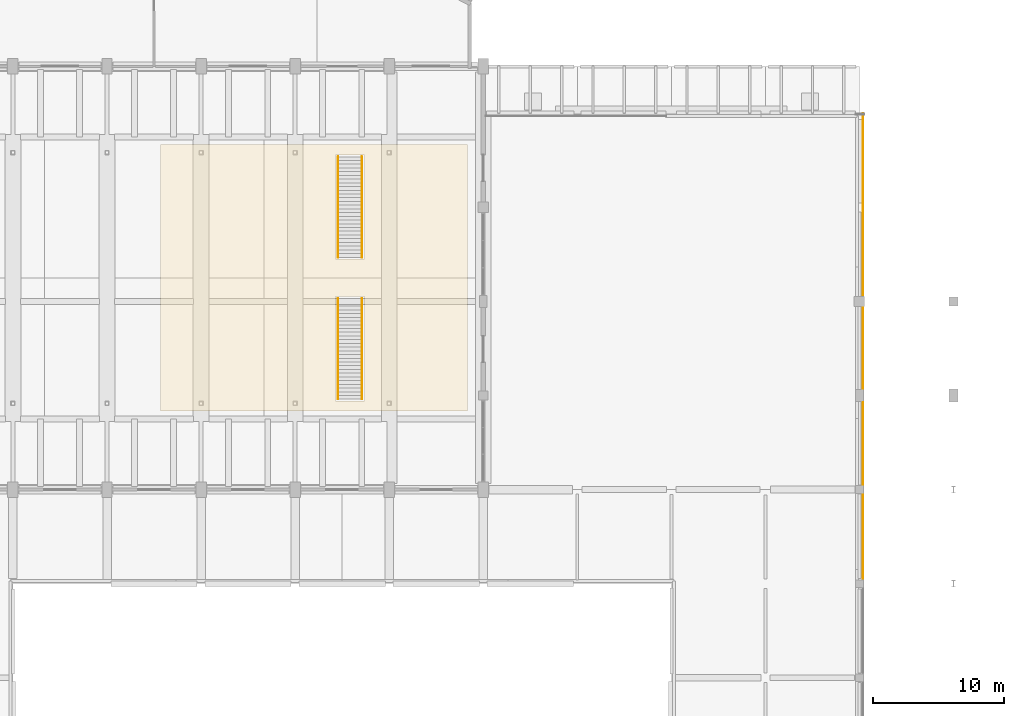
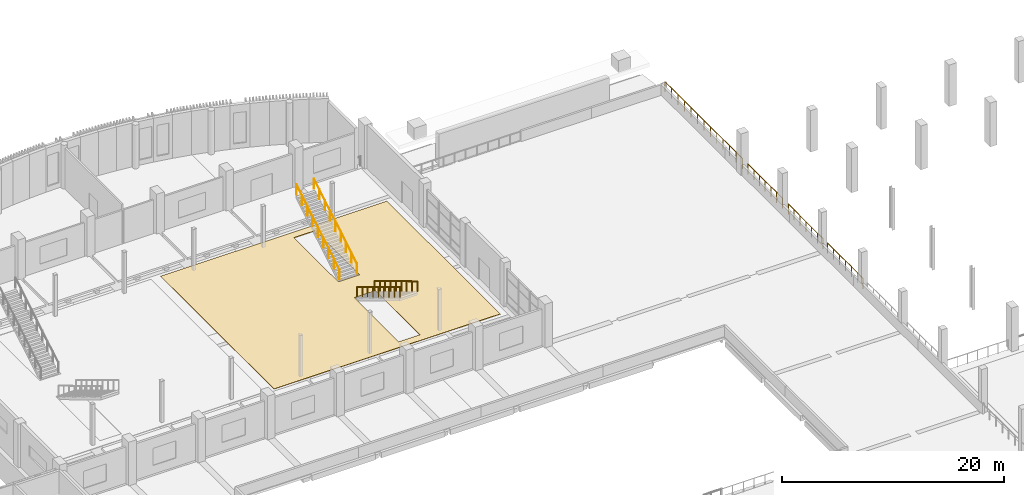
# One storey, part 76 of 82: 8 railings, 1 covering.
"""IFC4 building model written with IfcOpenShell, lengths in metres."""

from ifc_helpers import new_model, si_unit, direction, frame, origin, origin_2d, place, context, subcontext, project, spatial, polyline, circle, outline, extrude, material, layer, layer_set, type_object, element, save


model = new_model("IFC4")

# Units and contexts
model_context = context("Model", 3, precision=1e-05, world=origin(), true_north=direction((0.0, 1.0)))
body_context = subcontext(model_context, "Body", "Model", "MODEL_VIEW")
ifc_project = project(units=[si_unit("LENGTHUNIT", "METRE"), si_unit("AREAUNIT", "SQUARE_METRE"), si_unit("VOLUMEUNIT", "CUBIC_METRE"), si_unit("PLANEANGLEUNIT", "RADIAN"), si_unit("MASSUNIT", "GRAM", prefix="KILO")], contexts=[model_context])

# Site, building, storey
site_placement = place(None, origin())
site = spatial("IfcSite", under=ifc_project, at=site_placement, CompositionType="ELEMENT")
building_placement = place(site_placement, origin())
building = spatial("IfcBuilding", under=site, at=building_placement, Name="Sardonyx Promenade Sports Hall", CompositionType="ELEMENT")
storey_placement = place(building_placement, frame((0.0, 0.0, 11.199951171875)))
storey = spatial("IfcBuildingStorey", under=building, at=storey_placement, Name="L02", CompositionType="ELEMENT", Elevation=11.199951171875)

# Covering
ifc_material_1 = material(Name="FIBA Grade 1 sprung maple hardwood court flooring", Category="wood")
ifc_layer = layer(ifc_material_1, 0.044921875)
ifc_layer_set = layer_set([ifc_layer], Name="Cov_Floor_Maple")
covering_type = type_object("IfcCoveringType", Name="Cov_Floor_Maple", PredefinedType="FLOORING", material=ifc_layer_set)
covering_placement = place(storey_placement, origin())
element("IfcCovering", 1, at=covering_placement, inside=storey, type_object=covering_type, Name="Athletic flooring FLR1 L02 #6", PredefinedType="FLOORING", context=body_context, shape_type="SweptSolid", body=[
    extrude(outline(polyline([(54.5, 98.39990234375), (54.5, 78.0), (78.0, 78.0), (78.0, 98.39990234375), (54.5, 98.39990234375)]), holes=[polyline([(70.10009765625, 86.764892578125), (70.10009765625, 78.77001953125), (67.89990234375, 78.77001953125), (67.89990234375, 86.764892578125), (70.10009765625, 86.764892578125)]), polyline([(70.10009765625, 97.6298828125), (70.10009765625, 89.635009765625), (67.89990234375, 89.635009765625), (67.89990234375, 97.6298828125), (70.10009765625, 97.6298828125)])]), origin(), (0.0, 0.0, 1.0), 0.045166015625),
])

# Railings
ifc_material_2 = material(Name="Powder-coated Steel S355JR", Category="steel")
railing_type = type_object("IfcRailingType", Name="Rail_Int_Guard_1100", PredefinedType="GUARDRAIL", material=ifc_material_2)
for number, where, name in (
    (2, (68.090087890625, 86.614990234375, 0.17138671875), "Feature stair guard STV2 L"),
    (3, (69.909912109375, 86.614990234375, 0.17138671875), "Feature stair guard STV2 R"),
):
    element("IfcRailing", number, at=place(storey_placement, frame(where)), inside=storey, type_object=railing_type, Name=name, PredefinedType="GUARDRAIL", context=body_context, shape_type="SweptSolid", body=[
        extrude(circle(Radius=0.02392578125, at=origin_2d()), frame((0.0, 0.0, 1.09619140625), z_axis=(0.0, -0.856921461139, 0.515446999642), x_axis=(1.0, 0.0, 0.0)), (0.0, 0.0, 1.0), 8.97998046875),
        extrude(circle(Radius=0.02099609375, at=origin_2d()), origin(), (0.0, 0.0, 1.0), 1.072021484375),
        extrude(circle(Radius=0.02099609375, at=origin_2d()), frame((0.0, -0.9619140625, 0.57861328125)), (0.0, 0.0, 1.0), 1.072021484375),
        extrude(circle(Radius=0.02099609375, at=origin_2d()), frame((0.0, -1.923828125, 1.1572265625)), (0.0, 0.0, 1.0), 1.072021484375),
        extrude(circle(Radius=0.02099609375, at=origin_2d()), frame((0.0, -2.8857421875, 1.73583984375)), (0.0, 0.0, 1.0), 1.072021484375),
        extrude(circle(Radius=0.02099609375, at=origin_2d()), frame((0.0, -3.84765625, 2.314453125)), (0.0, 0.0, 1.0), 1.072021484375),
        extrude(circle(Radius=0.02099609375, at=origin_2d()), frame((0.0, -4.809326171875, 2.892822265625)), (0.0, 0.0, 1.0), 1.072021484375),
        extrude(circle(Radius=0.02099609375, at=origin_2d()), frame((0.0, -5.771240234375, 3.471435546875)), (0.0, 0.0, 1.0), 1.072021484375),
        extrude(circle(Radius=0.02099609375, at=origin_2d()), frame((0.0, -6.733154296875, 4.050048828125)), (0.0, 0.0, 1.0), 1.072021484375),
        extrude(circle(Radius=0.02099609375, at=origin_2d()), frame((0.0, -7.695068359375, 4.628662109375)), (0.0, 0.0, 1.0), 1.072021484375),
    ])
for number, where, name in (
    (4, (69.909912109375, 89.784912109375, 0.17138671875), "Feature stair guard STV4 L"),
    (5, (68.090087890625, 89.784912109375, 0.17138671875), "Feature stair guard STV4 R"),
):
    element("IfcRailing", number, at=place(storey_placement, frame(where)), inside=storey, type_object=railing_type, Name=name, PredefinedType="GUARDRAIL", context=body_context, shape_type="SweptSolid", body=[
        extrude(circle(Radius=0.02392578125, at=origin_2d()), frame((0.0, 0.0, 1.09619140625), z_axis=(0.0, 0.856921461139, 0.515446999642), x_axis=(-1.0, 0.0, 0.0)), (0.0, 0.0, 1.0), 8.97998046875),
        extrude(circle(Radius=0.02099609375, at=origin_2d()), origin(), (0.0, 0.0, 1.0), 1.072021484375),
        extrude(circle(Radius=0.02099609375, at=origin_2d()), frame((0.0, 0.9619140625, 0.57861328125)), (0.0, 0.0, 1.0), 1.072021484375),
        extrude(circle(Radius=0.02099609375, at=origin_2d()), frame((0.0, 1.923828125, 1.1572265625)), (0.0, 0.0, 1.0), 1.072021484375),
        extrude(circle(Radius=0.02099609375, at=origin_2d()), frame((0.0, 2.8857421875, 1.73583984375)), (0.0, 0.0, 1.0), 1.072021484375),
        extrude(circle(Radius=0.02099609375, at=origin_2d()), frame((0.0, 3.84765625, 2.314453125)), (0.0, 0.0, 1.0), 1.072021484375),
        extrude(circle(Radius=0.02099609375, at=origin_2d()), frame((0.0, 4.809326171875, 2.892822265625)), (0.0, 0.0, 1.0), 1.072021484375),
        extrude(circle(Radius=0.02099609375, at=origin_2d()), frame((0.0, 5.771240234375, 3.471435546875)), (0.0, 0.0, 1.0), 1.072021484375),
        extrude(circle(Radius=0.02099609375, at=origin_2d()), frame((0.0, 6.733154296875, 4.050048828125)), (0.0, 0.0, 1.0), 1.072021484375),
        extrude(circle(Radius=0.02099609375, at=origin_2d()), frame((0.0, 7.695068359375, 4.628662109375)), (0.0, 0.0, 1.0), 1.072021484375),
    ])
railing_1_placement = place(storey_placement, frame((108.280029296875, 65.199951171875, 0.0)))
element("IfcRailing", 6, at=railing_1_placement, inside=storey, type_object=railing_type, Name="Deck-edge guardrail GR02 L02 #43", PredefinedType="GUARDRAIL", context=body_context, shape_type="SweptSolid", body=[
    extrude(circle(Radius=0.02392578125, at=origin_2d()), frame((0.0, 0.0, 1.09619140625), z_axis=(0.0, 1.0, 0.0), x_axis=(-1.0, 0.0, 0.0)), (0.0, 0.0, 1.0), 6.400146484375),
    extrude(circle(Radius=0.02099609375, at=origin_2d()), origin(), (0.0, 0.0, 1.0), 1.072021484375),
    extrude(circle(Radius=0.02099609375, at=origin_2d()), frame((0.0, 1.066650390625, 0.0)), (0.0, 0.0, 1.0), 1.072021484375),
    extrude(circle(Radius=0.02099609375, at=origin_2d()), frame((0.0, 2.13330078125, 0.0)), (0.0, 0.0, 1.0), 1.072021484375),
    extrude(circle(Radius=0.02099609375, at=origin_2d()), frame((0.0, 3.2001953125, 0.0)), (0.0, 0.0, 1.0), 1.072021484375),
    extrude(circle(Radius=0.02099609375, at=origin_2d()), frame((0.0, 4.266845703125, 0.0)), (0.0, 0.0, 1.0), 1.072021484375),
    extrude(circle(Radius=0.02099609375, at=origin_2d()), frame((0.0, 5.33349609375, 0.0)), (0.0, 0.0, 1.0), 1.072021484375),
    extrude(circle(Radius=0.02099609375, at=origin_2d()), frame((0.0, 6.400146484375, 0.0)), (0.0, 0.0, 1.0), 1.072021484375),
])
railing_2_placement = place(storey_placement, frame((108.280029296875, 72.39990234375, 0.0)))
element("IfcRailing", 7, at=railing_2_placement, inside=storey, type_object=railing_type, Name="Deck-edge guardrail GR02 L02 #44", PredefinedType="GUARDRAIL", context=body_context, shape_type="SweptSolid", body=[
    extrude(circle(Radius=0.02392578125, at=origin_2d()), frame((0.0, 0.0, 1.09619140625), z_axis=(0.0, 1.0, 0.0), x_axis=(-1.0, 0.0, 0.0)), (0.0, 0.0, 1.0), 6.25),
    extrude(circle(Radius=0.02099609375, at=origin_2d()), origin(), (0.0, 0.0, 1.0), 1.072021484375),
    extrude(circle(Radius=0.02099609375, at=origin_2d()), frame((0.0, 1.041748046875, 0.0)), (0.0, 0.0, 1.0), 1.072021484375),
    extrude(circle(Radius=0.02099609375, at=origin_2d()), frame((0.0, 2.083251953125, 0.0)), (0.0, 0.0, 1.0), 1.072021484375),
    extrude(circle(Radius=0.02099609375, at=origin_2d()), frame((0.0, 3.125, 0.0)), (0.0, 0.0, 1.0), 1.072021484375),
    extrude(circle(Radius=0.02099609375, at=origin_2d()), frame((0.0, 4.166748046875, 0.0)), (0.0, 0.0, 1.0), 1.072021484375),
    extrude(circle(Radius=0.02099609375, at=origin_2d()), frame((0.0, 5.208251953125, 0.0)), (0.0, 0.0, 1.0), 1.072021484375),
    extrude(circle(Radius=0.02099609375, at=origin_2d()), frame((0.0, 6.25, 0.0)), (0.0, 0.0, 1.0), 1.072021484375),
])
railing_3_placement = place(storey_placement, frame((108.280029296875, 79.75, 0.0)))
element("IfcRailing", 8, at=railing_3_placement, inside=storey, type_object=railing_type, Name="Deck-edge guardrail GR02 L02 #45", PredefinedType="GUARDRAIL", context=body_context, shape_type="SweptSolid", body=[
    extrude(circle(Radius=0.02392578125, at=origin_2d()), frame((0.0, 0.0, 1.09619140625), z_axis=(0.0, 1.0, 0.0), x_axis=(-1.0, 0.0, 0.0)), (0.0, 0.0, 1.0), 6.14990234375),
    extrude(circle(Radius=0.02099609375, at=origin_2d()), origin(), (0.0, 0.0, 1.0), 1.072021484375),
    extrude(circle(Radius=0.02099609375, at=origin_2d()), frame((0.0, 1.02490234375, 0.0)), (0.0, 0.0, 1.0), 1.072021484375),
    extrude(circle(Radius=0.02099609375, at=origin_2d()), frame((0.0, 2.050048828125, 0.0)), (0.0, 0.0, 1.0), 1.072021484375),
    extrude(circle(Radius=0.02099609375, at=origin_2d()), frame((0.0, 3.074951171875, 0.0)), (0.0, 0.0, 1.0), 1.072021484375),
    extrude(circle(Radius=0.02099609375, at=origin_2d()), frame((0.0, 4.099853515625, 0.0)), (0.0, 0.0, 1.0), 1.072021484375),
    extrude(circle(Radius=0.02099609375, at=origin_2d()), frame((0.0, 5.125, 0.0)), (0.0, 0.0, 1.0), 1.072021484375),
    extrude(circle(Radius=0.02099609375, at=origin_2d()), frame((0.0, 6.14990234375, 0.0)), (0.0, 0.0, 1.0), 1.072021484375),
])
railing_4_placement = place(storey_placement, frame((108.280029296875, 86.89990234375, 0.0)))
element("IfcRailing", 9, at=railing_4_placement, inside=storey, type_object=railing_type, Name="Deck-edge guardrail GR02 L02 #46", PredefinedType="GUARDRAIL", context=body_context, shape_type="SweptSolid", body=[
    extrude(circle(Radius=0.02392578125, at=origin_2d()), frame((0.0, 0.0, 1.09619140625), z_axis=(0.0, 1.0, 0.0), x_axis=(-1.0, 0.0, 0.0)), (0.0, 0.0, 1.0), 13.900146484375),
    extrude(circle(Radius=0.02099609375, at=origin_2d()), origin(), (0.0, 0.0, 1.0), 1.072021484375),
    extrude(circle(Radius=0.02099609375, at=origin_2d()), frame((0.0, 1.158447265625, 0.0)), (0.0, 0.0, 1.0), 1.072021484375),
    extrude(circle(Radius=0.02099609375, at=origin_2d()), frame((0.0, 2.316650390625, 0.0)), (0.0, 0.0, 1.0), 1.072021484375),
    extrude(circle(Radius=0.02099609375, at=origin_2d()), frame((0.0, 3.47509765625, 0.0)), (0.0, 0.0, 1.0), 1.072021484375),
    extrude(circle(Radius=0.02099609375, at=origin_2d()), frame((0.0, 4.63330078125, 0.0)), (0.0, 0.0, 1.0), 1.072021484375),
    extrude(circle(Radius=0.02099609375, at=origin_2d()), frame((0.0, 5.791748046875, 0.0)), (0.0, 0.0, 1.0), 1.072021484375),
    extrude(circle(Radius=0.02099609375, at=origin_2d()), frame((0.0, 6.9501953125, 0.0)), (0.0, 0.0, 1.0), 1.072021484375),
    extrude(circle(Radius=0.02099609375, at=origin_2d()), frame((0.0, 8.1083984375, 0.0)), (0.0, 0.0, 1.0), 1.072021484375),
    extrude(circle(Radius=0.02099609375, at=origin_2d()), frame((0.0, 9.266845703125, 0.0)), (0.0, 0.0, 1.0), 1.072021484375),
    extrude(circle(Radius=0.02099609375, at=origin_2d()), frame((0.0, 10.425048828125, 0.0)), (0.0, 0.0, 1.0), 1.072021484375),
    extrude(circle(Radius=0.02099609375, at=origin_2d()), frame((0.0, 11.58349609375, 0.0)), (0.0, 0.0, 1.0), 1.072021484375),
    extrude(circle(Radius=0.02099609375, at=origin_2d()), frame((0.0, 12.74169921875, 0.0)), (0.0, 0.0, 1.0), 1.072021484375),
    extrude(circle(Radius=0.02099609375, at=origin_2d()), frame((0.0, 13.900146484375, 0.0)), (0.0, 0.0, 1.0), 1.072021484375),
])

save(model, "model.ifc")
